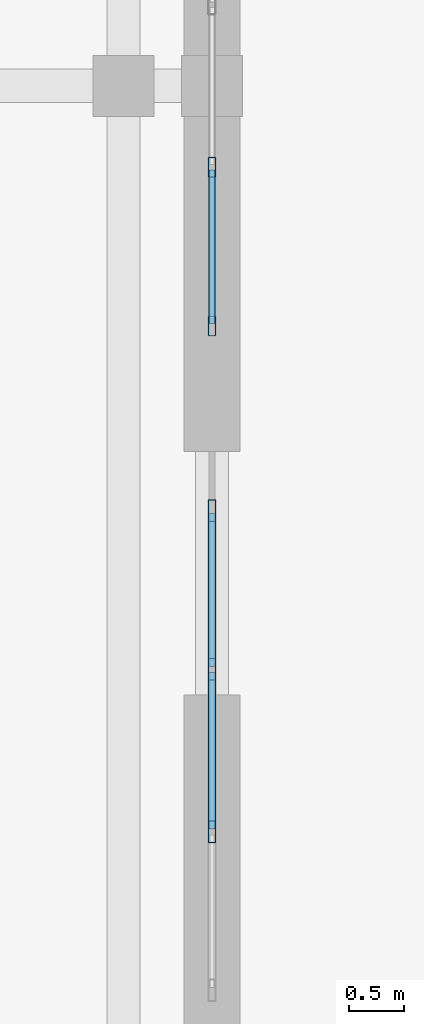
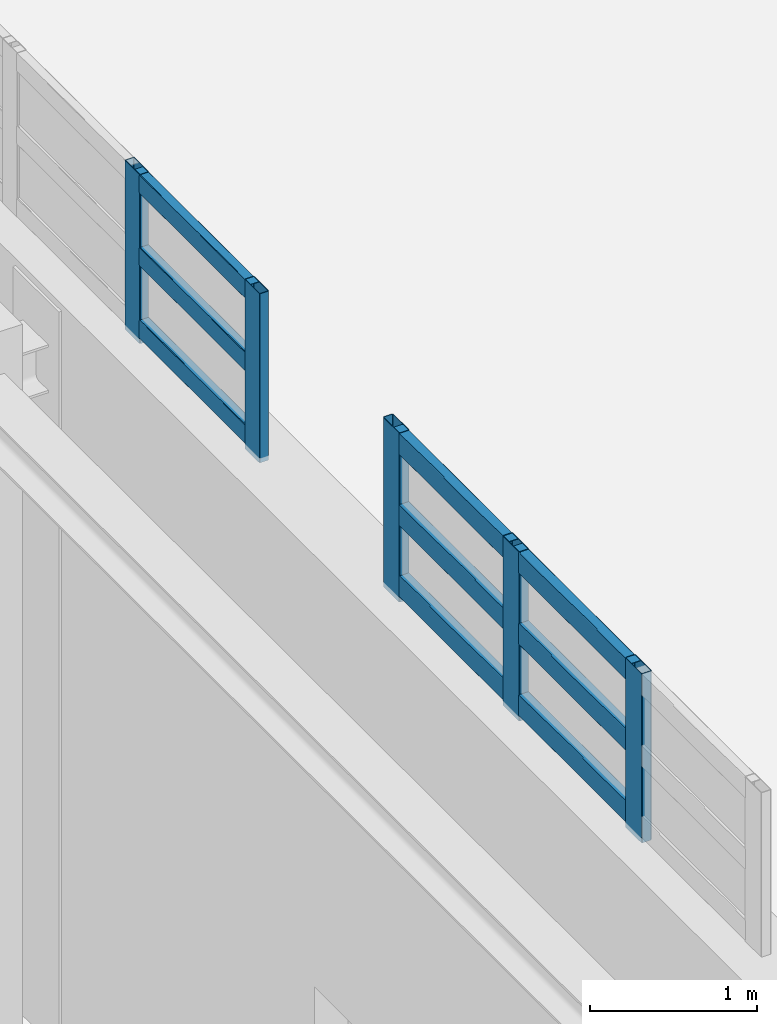
# One storey, part 118 of 197: 14 members, 2 elements without a shape of their own.
"""IFC4 building model written with IfcOpenShell, lengths in metres."""

from ifc_helpers import new_model, si_unit, derived_unit, direction, frame, origin, origin_2d, place, context, subcontext, project, spatial, hollow_rectangle, extrude, material, layer, layer_set, material_profile, profile_set, type_object, element, aggregate, save


model = new_model("IFC4")

# Units and contexts
model_context = context("Model", 3, precision=1e-05, world=origin(), true_north=direction((0.0, 1.0)))
body_context = subcontext(model_context, "Body", "Model", "MODEL_VIEW")
ifc_project = project(units=[si_unit("LENGTHUNIT", "METRE"), si_unit("AREAUNIT", "SQUARE_METRE"), si_unit("VOLUMEUNIT", "CUBIC_METRE"), si_unit("PLANEANGLEUNIT", "RADIAN"), si_unit("MASSUNIT", "GRAM", prefix="KILO"), derived_unit("THERMALTRANSMITTANCEUNIT", [(si_unit("POWERUNIT", "WATT"), 1), (si_unit("LENGTHUNIT", "METRE"), -2), (si_unit("THERMODYNAMICTEMPERATUREUNIT", "KELVIN"), -1)])], contexts=[model_context])

# Site, building, storey
site_placement = place(None, origin())
site = spatial("IfcSite", under=ifc_project, at=site_placement, CompositionType="ELEMENT")
building_placement = place(site_placement, origin())
building = spatial("IfcBuilding", under=site, at=building_placement, Name="Almenara Railside Exhibition Hall", CompositionType="ELEMENT")
storey_placement = place(building_placement, frame((0.0, 0.0, 5.39990234375)))
storey = spatial("IfcBuildingStorey", under=building, at=storey_placement, Name="L01", CompositionType="ELEMENT", Elevation=5.39990234375)

# Curtain wall, members
ifc_material_1 = material(Name="Bronze-anodised aluminium and low-E double glazing", Category="aluminium")
ifc_layer = layer(ifc_material_1, 0.179931640625, Name="Bronze-anodised aluminium and low-E double glazing")
ifc_layer_set = layer_set([ifc_layer], Name="Bronze-anodised aluminium and low-E double glazing")
curtain_wall_type = type_object("IfcCurtainWallType", Name="East Hall Clerestory Curtain Wall 4400x2300", PredefinedType="NOTDEFINED", material=ifc_layer_set)
curtain_wall_1_placement = place(storey_placement, origin())
curtain_wall_1 = element("IfcCurtainWall", 1, at=curtain_wall_1_placement, inside=storey, type_object=curtain_wall_type, Name="Curtain wall CW-CL3-060", PredefinedType="NOTDEFINED")
ifc_material_2 = material(Name="Bronze-anodised aluminium", Category="aluminium")
ifc_material_profile_1 = material_profile(ifc_material_2, hollow_rectangle(XDim=0.06494140625, YDim=0.179931640625, WallThickness=0.00390625, InnerFilletRadius=0.00390625, OuterFilletRadius=0.008056640625, at=origin_2d()), Name="ALU-MUL 65x180x4")
ifc_profile_set_1 = profile_set([ifc_material_profile_1], Name="Bronze-anodised aluminium")
member_type_1 = type_object("IfcMemberType", Name="Curtain Wall Mullion 65x180x4", PredefinedType="MULLION", material=ifc_profile_set_1)
member_1_placement = place(storey_placement, frame((138.0, 69.83251953125, 5.4150390625), z_axis=(0.0, 0.0, 1.0), x_axis=(-1.0, 0.0, 0.0)))
member_1 = element("IfcMember", 2, at=member_1_placement, type_object=member_type_1, Name="CW-CL3-060 mullion 1", PredefinedType="MULLION", context=body_context, shape_type="SweptSolid", body=[
    extrude(hollow_rectangle(XDim=0.06494140625, YDim=0.179931640625, WallThickness=0.00390625, InnerFilletRadius=0.00390625, OuterFilletRadius=0.008056640625, at=origin_2d()), origin(), (0.0, 0.0, 1.0), 1.235107421875),
])
member_2_placement = place(storey_placement, frame((138.0, 71.2666015625, 5.4150390625), z_axis=(0.0, 0.0, 1.0), x_axis=(-1.0, 0.0, 0.0)))
member_2 = element("IfcMember", 3, at=member_2_placement, type_object=member_type_1, Name="CW-CL3-060 mullion 2", PredefinedType="MULLION", context=body_context, shape_type="SweptSolid", body=[
    extrude(hollow_rectangle(XDim=0.06494140625, YDim=0.179931640625, WallThickness=0.00390625, InnerFilletRadius=0.00390625, OuterFilletRadius=0.008056640625, at=origin_2d()), origin(), (0.0, 0.0, 1.0), 1.235107421875),
])

curtain_wall_2_placement = place(storey_placement, origin())
curtain_wall_2 = element("IfcCurtainWall", 4, at=curtain_wall_2_placement, inside=storey, type_object=curtain_wall_type, Name="Curtain wall CW-CL3-059", PredefinedType="NOTDEFINED")
ifc_material_profile_2 = material_profile(ifc_material_2, hollow_rectangle(XDim=0.070068359375, YDim=0.199951171875, WallThickness=0.00439453125, InnerFilletRadius=0.00439453125, OuterFilletRadius=0.009033203125, at=origin_2d()), Name="ALU-MUL 70x200x4.5")
ifc_profile_set_2 = profile_set([ifc_material_profile_2], Name="Bronze-anodised aluminium")
member_type_2 = type_object("IfcMemberType", Name="Curtain Wall Mullion 70x200x4.5", PredefinedType="MULLION", material=ifc_profile_set_2)
member_3_placement = place(storey_placement, frame((138.0, 65.2666015625, 5.4150390625), z_axis=(0.0, 0.0, 1.0), x_axis=(-1.0, 0.0, 0.0)))
member_3 = element("IfcMember", 5, at=member_3_placement, type_object=member_type_2, Name="CW-CL3-059 mullion 2", PredefinedType="MULLION", context=body_context, shape_type="SweptSolid", body=[
    extrude(hollow_rectangle(XDim=0.070068359375, YDim=0.199951171875, WallThickness=0.00439453125, InnerFilletRadius=0.00439453125, OuterFilletRadius=0.009033203125, at=origin_2d()), origin(), (0.0, 0.0, 1.0), 1.235107421875),
])
member_4_placement = place(storey_placement, frame((138.0, 66.7333984375, 5.4150390625), z_axis=(0.0, 0.0, 1.0), x_axis=(-1.0, 0.0, 0.0)))
member_4 = element("IfcMember", 6, at=member_4_placement, type_object=member_type_2, Name="CW-CL3-059 mullion 3", PredefinedType="MULLION", context=body_context, shape_type="SweptSolid", body=[
    extrude(hollow_rectangle(XDim=0.070068359375, YDim=0.199951171875, WallThickness=0.00439453125, InnerFilletRadius=0.00439453125, OuterFilletRadius=0.009033203125, at=origin_2d()), origin(), (0.0, 0.0, 1.0), 1.235107421875),
])
member_5_placement = place(storey_placement, frame((138.0, 68.1650390625, 5.4150390625), z_axis=(0.0, 0.0, 1.0), x_axis=(-1.0, 0.0, 0.0)))
member_5 = element("IfcMember", 7, at=member_5_placement, type_object=member_type_2, Name="CW-CL3-059 mullion 4", PredefinedType="MULLION", context=body_context, shape_type="SweptSolid", body=[
    extrude(hollow_rectangle(XDim=0.070068359375, YDim=0.199951171875, WallThickness=0.00439453125, InnerFilletRadius=0.00439453125, OuterFilletRadius=0.009033203125, at=origin_2d()), origin(), (0.0, 0.0, 1.0), 1.235107421875),
])

# Member
ifc_material_profile_3 = material_profile(ifc_material_2, hollow_rectangle(XDim=0.06494140625, YDim=0.139892578125, WallThickness=0.00341796875, InnerFilletRadius=0.00341796875, OuterFilletRadius=0.007080078125, at=origin_2d()), Name="ALU-TRN 65x140x3.5")
ifc_profile_set_3 = profile_set([ifc_material_profile_3], Name="Bronze-anodised aluminium")
member_type_3 = type_object("IfcMemberType", Name="Curtain Wall Transom 65x140x3.5", PredefinedType="USERDEFINED", material=ifc_profile_set_3)
member_6_placement = place(storey_placement, frame((138.0, 69.85693359375, 5.52001953125), z_axis=(0.0, 1.0, 0.0), x_axis=(-1.0, 0.0, 0.0)))
member_6 = element("IfcMember", 8, at=member_6_placement, type_object=member_type_3, Name="CW-CL3-060 transom 1.1", ObjectType="TRANSOM", PredefinedType="USERDEFINED", context=body_context, shape_type="SweptSolid", body=[
    extrude(hollow_rectangle(XDim=0.06494140625, YDim=0.139892578125, WallThickness=0.00341796875, InnerFilletRadius=0.00341796875, OuterFilletRadius=0.007080078125, at=origin_2d()), origin(), (0.0, 0.0, 1.0), 1.38525390625),
])

member_7_placement = place(storey_placement, frame((138.0, 69.85693359375, 6.050048828125), z_axis=(0.0, 1.0, 0.0), x_axis=(-1.0, 0.0, 0.0)))
member_7 = element("IfcMember", 9, at=member_7_placement, type_object=member_type_3, Name="CW-CL3-060 transom 1.2", ObjectType="TRANSOM", PredefinedType="USERDEFINED", context=body_context, shape_type="SweptSolid", body=[
    extrude(hollow_rectangle(XDim=0.06494140625, YDim=0.139892578125, WallThickness=0.00341796875, InnerFilletRadius=0.00341796875, OuterFilletRadius=0.007080078125, at=origin_2d()), origin(), (0.0, 0.0, 1.0), 1.38525390625),
])

member_8_placement = place(storey_placement, frame((138.0, 69.85693359375, 6.580078125), z_axis=(0.0, 1.0, 0.0), x_axis=(-1.0, 0.0, 0.0)))
member_8 = element("IfcMember", 10, at=member_8_placement, type_object=member_type_3, Name="CW-CL3-060 transom 1.3", ObjectType="TRANSOM", PredefinedType="USERDEFINED", context=body_context, shape_type="SweptSolid", body=[
    extrude(hollow_rectangle(XDim=0.06494140625, YDim=0.139892578125, WallThickness=0.00341796875, InnerFilletRadius=0.00341796875, OuterFilletRadius=0.007080078125, at=origin_2d()), origin(), (0.0, 0.0, 1.0), 1.38525390625),
])

aggregate(curtain_wall_1, [member_1, member_2, member_6, member_7, member_8])

ifc_material_profile_4 = material_profile(ifc_material_2, hollow_rectangle(XDim=0.070068359375, YDim=0.159912109375, WallThickness=0.00390625, InnerFilletRadius=0.00390625, OuterFilletRadius=0.008056640625, at=origin_2d()), Name="ALU-TRN 70x160x4")
ifc_profile_set_4 = profile_set([ifc_material_profile_4], Name="Bronze-anodised aluminium")
member_type_4 = type_object("IfcMemberType", Name="Curtain Wall Transom 70x160x4", PredefinedType="USERDEFINED", material=ifc_profile_set_4)
member_9_placement = place(storey_placement, frame((138.0, 65.293701171875, 5.530029296875), z_axis=(0.0, 1.0, 0.0), x_axis=(-1.0, 0.0, 0.0)))
member_9 = element("IfcMember", 11, at=member_9_placement, type_object=member_type_4, Name="CW-CL3-059 transom 2.1", ObjectType="TRANSOM", PredefinedType="USERDEFINED", context=body_context, shape_type="SweptSolid", body=[
    extrude(hollow_rectangle(XDim=0.070068359375, YDim=0.159912109375, WallThickness=0.00390625, InnerFilletRadius=0.00390625, OuterFilletRadius=0.008056640625, at=origin_2d()), origin(), (0.0, 0.0, 1.0), 1.41259765625),
])

member_10_placement = place(storey_placement, frame((138.0, 65.293701171875, 6.050048828125), z_axis=(0.0, 1.0, 0.0), x_axis=(-1.0, 0.0, 0.0)))
member_10 = element("IfcMember", 12, at=member_10_placement, type_object=member_type_4, Name="CW-CL3-059 transom 2.2", ObjectType="TRANSOM", PredefinedType="USERDEFINED", context=body_context, shape_type="SweptSolid", body=[
    extrude(hollow_rectangle(XDim=0.070068359375, YDim=0.159912109375, WallThickness=0.00390625, InnerFilletRadius=0.00390625, OuterFilletRadius=0.008056640625, at=origin_2d()), origin(), (0.0, 0.0, 1.0), 1.41259765625),
])

member_11_placement = place(storey_placement, frame((138.0, 65.293701171875, 6.570068359375), z_axis=(0.0, 1.0, 0.0), x_axis=(-1.0, 0.0, 0.0)))
member_11 = element("IfcMember", 13, at=member_11_placement, type_object=member_type_4, Name="CW-CL3-059 transom 2.3", ObjectType="TRANSOM", PredefinedType="USERDEFINED", context=body_context, shape_type="SweptSolid", body=[
    extrude(hollow_rectangle(XDim=0.070068359375, YDim=0.159912109375, WallThickness=0.00390625, InnerFilletRadius=0.00390625, OuterFilletRadius=0.008056640625, at=origin_2d()), origin(), (0.0, 0.0, 1.0), 1.41259765625),
])

member_12_placement = place(storey_placement, frame((138.0, 66.76025390625, 5.530029296875), z_axis=(0.0, 1.0, 0.0), x_axis=(-1.0, 0.0, 0.0)))
member_12 = element("IfcMember", 14, at=member_12_placement, type_object=member_type_4, Name="CW-CL3-059 transom 3.1", ObjectType="TRANSOM", PredefinedType="USERDEFINED", context=body_context, shape_type="SweptSolid", body=[
    extrude(hollow_rectangle(XDim=0.070068359375, YDim=0.159912109375, WallThickness=0.00390625, InnerFilletRadius=0.00390625, OuterFilletRadius=0.008056640625, at=origin_2d()), origin(), (0.0, 0.0, 1.0), 1.377685546875),
])

member_13_placement = place(storey_placement, frame((138.0, 66.76025390625, 6.050048828125), z_axis=(0.0, 1.0, 0.0), x_axis=(-1.0, 0.0, 0.0)))
member_13 = element("IfcMember", 15, at=member_13_placement, type_object=member_type_4, Name="CW-CL3-059 transom 3.2", ObjectType="TRANSOM", PredefinedType="USERDEFINED", context=body_context, shape_type="SweptSolid", body=[
    extrude(hollow_rectangle(XDim=0.070068359375, YDim=0.159912109375, WallThickness=0.00390625, InnerFilletRadius=0.00390625, OuterFilletRadius=0.008056640625, at=origin_2d()), origin(), (0.0, 0.0, 1.0), 1.377685546875),
])

member_14_placement = place(storey_placement, frame((138.0, 66.76025390625, 6.570068359375), z_axis=(0.0, 1.0, 0.0), x_axis=(-1.0, 0.0, 0.0)))
member_14 = element("IfcMember", 16, at=member_14_placement, type_object=member_type_4, Name="CW-CL3-059 transom 3.3", ObjectType="TRANSOM", PredefinedType="USERDEFINED", context=body_context, shape_type="SweptSolid", body=[
    extrude(hollow_rectangle(XDim=0.070068359375, YDim=0.159912109375, WallThickness=0.00390625, InnerFilletRadius=0.00390625, OuterFilletRadius=0.008056640625, at=origin_2d()), origin(), (0.0, 0.0, 1.0), 1.377685546875),
])

aggregate(curtain_wall_2, [member_3, member_4, member_5, member_9, member_10, member_11, member_12, member_13, member_14])

save(model, "model.ifc")
